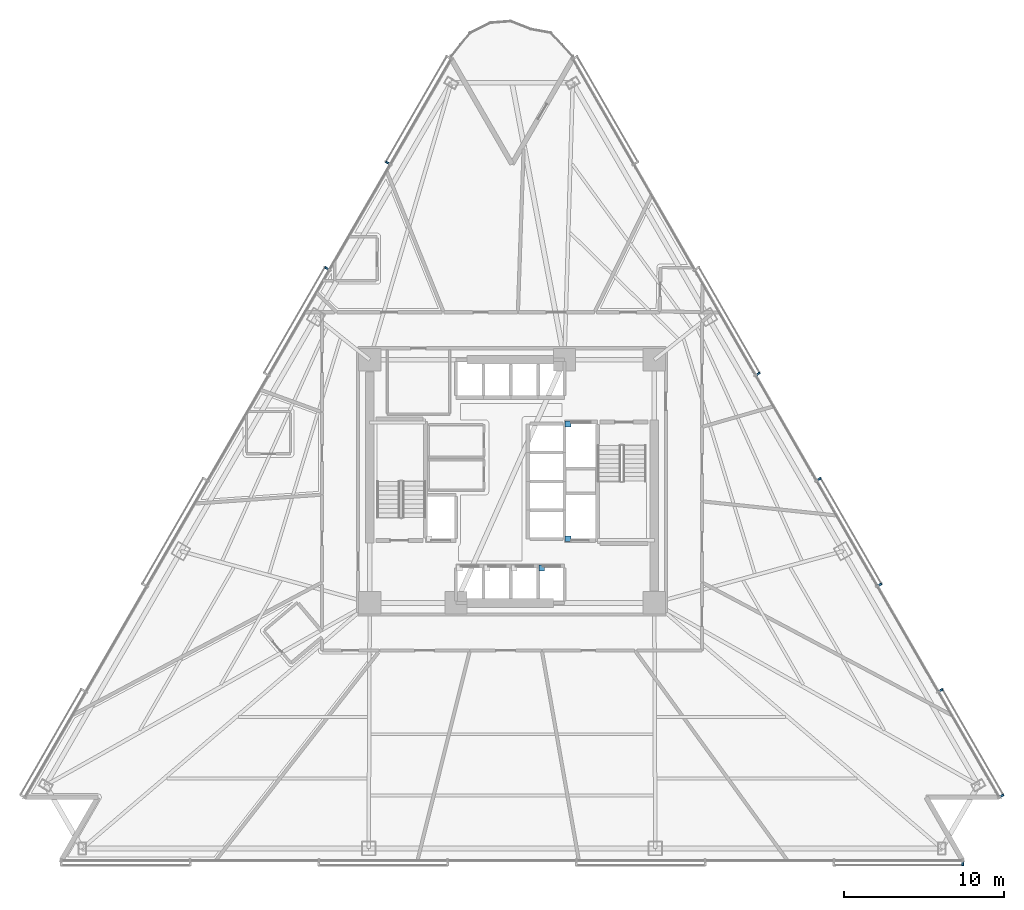
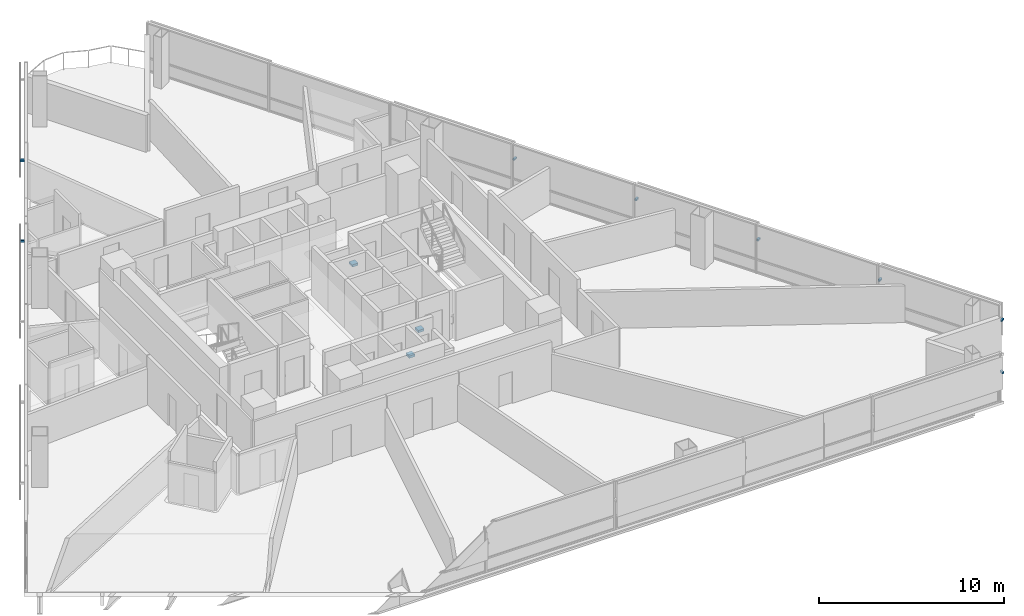
# One storey, part 12 of 16: 11 discrete accessories.
"""IFC4 building model written with IfcOpenShell, lengths in metres."""

from ifc_helpers import new_model, si_unit, direction, frame, origin, origin_2d, place, context, subcontext, project, spatial, rectangle, extrude, material, type_object, element, save


model = new_model("IFC4")

# Units and contexts
model_context = context("Model", 3, precision=1e-05, world=origin(), true_north=direction((0.0, 1.0)))
body_context = subcontext(model_context, "Body", "Model", "MODEL_VIEW")
ifc_project = project(units=[si_unit("LENGTHUNIT", "METRE"), si_unit("AREAUNIT", "SQUARE_METRE"), si_unit("VOLUMEUNIT", "CUBIC_METRE"), si_unit("PLANEANGLEUNIT", "RADIAN"), si_unit("MASSUNIT", "GRAM", prefix="KILO")], contexts=[model_context])

# Site, building, storey
site_placement = place(None, origin())
site = spatial("IfcSite", under=ifc_project, at=site_placement, CompositionType="ELEMENT")
building_placement = place(site_placement, origin())
building = spatial("IfcBuilding", under=site, at=building_placement, Name="Tharavind Bronze Gate", CompositionType="ELEMENT")
storey_placement = place(building_placement, frame((0.0, 0.0, 45.449951171875)))
storey = spatial("IfcBuildingStorey", under=building, at=storey_placement, Name="L10", CompositionType="ELEMENT", Elevation=45.449951171875)

# Discrete accessories
ifc_material_1 = material(Name="Galvanised Steel S355", Category="steel")
discrete_accessory_type_1 = type_object("IfcDiscreteAccessoryType", Name="LIFT GUIDE RAIL BRACKET", PredefinedType="BRACKET", material=ifc_material_1)
for number, where, z_axis, x_axis, name in (
    (1, (1.857421875, -5.419921875, 1.1201171875), (0.0, 0.0, 1.0), (1.0, 0.0, 0.0), "Lift PL4 guide rail bracket at L10"),
    (2, (3.5, 3.580078125, 1.1201171875), (0.0, 0.0, 1.0), (1.0, 0.0, 0.0), "Lift FFL2 guide rail bracket at L10"),
    (3, (3.5, -3.580078125, 1.1201171875), (0.0, 0.0, 1.0), (1.0, 0.0, 0.0), "Lift SVL1 guide rail bracket at L10"),
):
    element("IfcDiscreteAccessory", number, at=place(storey_placement, frame(where, z_axis=z_axis, x_axis=x_axis)), inside=storey, type_object=discrete_accessory_type_1, Name=name, PredefinedType="BRACKET", context=body_context, shape_type="SweptSolid", body=[
        extrude(rectangle(XDim=0.360107421875, YDim=0.360107421875, at=origin_2d()), origin(), (0.0, 0.0, 1.0), 0.159912109375),
    ])
ifc_material_2 = material(Name="Stainless Steel 316", Category="steel")
discrete_accessory_type_2 = type_object("IfcDiscreteAccessoryType", Name="SOLAR SCREEN STANDOFF BRACKET", PredefinedType="BRACKET", material=ifc_material_2)
for number, where, z_axis, x_axis, name in (
    (4, (-7.78125, 19.922607421875, 2.00244140625), (0.0, 0.0, 1.0), (-0.500001511499, -0.866024531118, 0.0), "CW-L10-S1 solar screen bracket 1.2"),
    (5, (-11.589111328125, 13.326904296875, 2.00244140625), (0.0, 0.0, 1.0), (-0.500001511499, -0.866024531118, 0.0), "CW-L10-S1 solar screen bracket 3.1"),
    (6, (28.17578125, -23.89990234375, 2.00244140625), (0.0, 0.0, 1.0), (1.0, 0.0, 0.0), "CW-L10-S2 solar screen bracket 7.2"),
    (7, (30.62890625, -19.65087890625, 2.00244140625), (0.0, 0.0, 1.0), (-0.500001511499, 0.866024531118, 0.0), "CW-L10-S3 solar screen bracket 1.1"),
    (8, (26.821044921875, -13.055419921875, 2.00244140625), (0.0, 0.0, 1.0), (-0.500001511499, 0.866024531118, 0.0), "CW-L10-S3 solar screen bracket 1.2"),
    (9, (23.01318359375, -6.459716796875, 2.00244140625), (0.0, 0.0, 1.0), (-0.500001511499, 0.866024531118, 0.0), "CW-L10-S3 solar screen bracket 3.1"),
    (10, (19.205078125, 0.135986328125, 2.00244140625), (0.0, 0.0, 1.0), (-0.500001511499, 0.866024531118, 0.0), "CW-L10-S3 solar screen bracket 3.2"),
    (11, (15.397216796875, 6.7314453125, 2.00244140625), (0.0, 0.0, 1.0), (-0.500001511499, 0.866024531118, 0.0), "CW-L10-S3 solar screen bracket 5.1"),
):
    element("IfcDiscreteAccessory", number, at=place(storey_placement, frame(where, z_axis=z_axis, x_axis=x_axis)), inside=storey, type_object=discrete_accessory_type_2, Name=name, PredefinedType="BRACKET", context=body_context, shape_type="SweptSolid", body=[
        extrude(rectangle(XDim=0.1201171875, YDim=0.239990234375, at=origin_2d()), origin(), (0.0, 0.0, 1.0), 0.1201171875),
    ])

save(model, "model.ifc")
